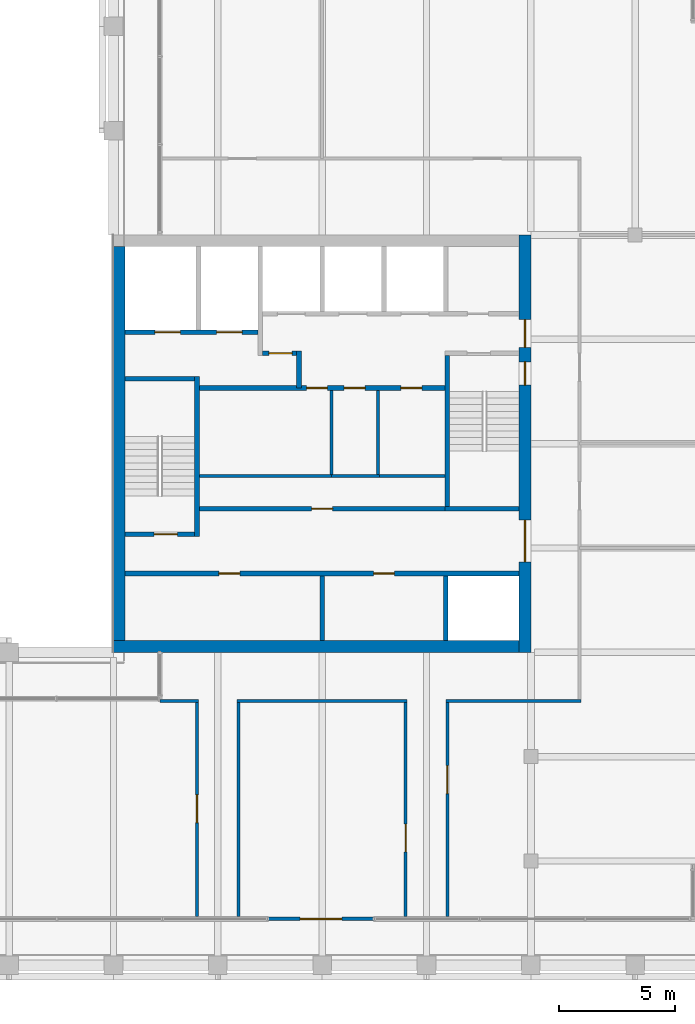
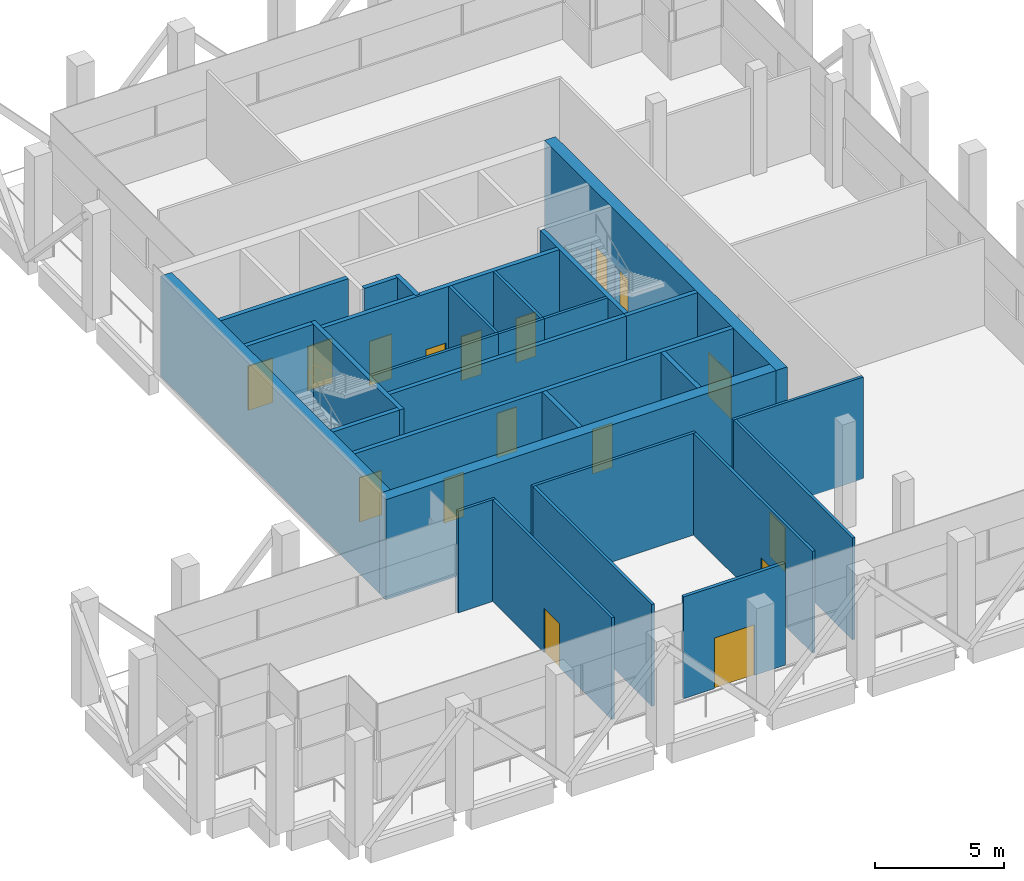
# One storey, part 19 of 21: 29 walls, 17 doors, 17 openings.
"""IFC4 building model written with IfcOpenShell, lengths in metres."""

from ifc_helpers import new_model, si_unit, direction, frame, frame_2d, origin, place, context, subcontext, project, spatial, rectangle, extrude, material, layer, layer_set, type_object, element, fill, save


model = new_model("IFC4")

# Units and contexts
model_context = context("Model", 3, precision=1e-05, world=origin(), true_north=direction((0.0, 1.0)))
body_context = subcontext(model_context, "Body", "Model", "MODEL_VIEW")
ifc_project = project(units=[si_unit("LENGTHUNIT", "METRE"), si_unit("AREAUNIT", "SQUARE_METRE"), si_unit("VOLUMEUNIT", "CUBIC_METRE"), si_unit("PLANEANGLEUNIT", "RADIAN"), si_unit("MASSUNIT", "GRAM", prefix="KILO")], contexts=[model_context])

# Site, building, storey
site_placement = place(None, origin())
site = spatial("IfcSite", under=ifc_project, at=site_placement, CompositionType="ELEMENT")
building_placement = place(site_placement, origin())
building = spatial("IfcBuilding", under=site, at=building_placement, Name="Altepetl Exchange Towers", CompositionType="ELEMENT")
storey_placement = place(building_placement, frame((0.0, 0.0, 246.0)))
storey = spatial("IfcBuildingStorey", under=building, at=storey_placement, Name="L63 Refuge", CompositionType="ELEMENT", Elevation=246.0)

# Wall, openings, doors
ifc_material_1 = material(Name="Concrete C70/85", Category="concrete")
ifc_layer_1 = layer(ifc_material_1, 0.5)
ifc_layer_set_1 = layer_set([ifc_layer_1], Name="Concrete C70/85")
wall_type_1 = type_object("IfcWallType", Name="Core wall 500 reinforced concrete", PredefinedType="SHEAR", material=ifc_layer_set_1)
wall_1_placement = place(storey_placement, frame((58.25, 40.5, 0.0), z_axis=(0.0, 0.0, 1.0), x_axis=(0.0, 1.0, 0.0)))
wall_1 = element("IfcWall", 1, at=wall_1_placement, inside=storey, type_object=wall_type_1, Name="wall:A:L63:K-coreE", PredefinedType="SHEAR", context=body_context, shape_type="SweptSolid", body=[
    extrude(rectangle(XDim=18.0, YDim=0.5, at=frame_2d((9.0, 0.0))), origin(), (0.0, 0.0, 1.0), 4.75),
])
opening_1_placement = place(wall_1_placement, frame((13.14990234375, 0.0, 0.0)))
opening_1 = element("IfcOpeningElement", 2, at=opening_1_placement, cuts=wall_1, Name="Opening L63.A60", PredefinedType="OPENING", context=body_context, shape_type="SweptSolid", body=[
    extrude(rectangle(XDim=1.199951171875, YDim=2.10009765625, at=frame_2d((0.60009765625, 1.050048828125))), frame((0.0, 0.260009765625, 0.0), z_axis=(0.0, -1.0, 0.0), x_axis=(1.0, 0.0, 0.0)), (0.0, 0.0, 1.0), 0.52001953125),
])
opening_2_placement = place(wall_1_placement, frame((3.89990234375, 0.0, 0.0)))
opening_2 = element("IfcOpeningElement", 3, at=opening_2_placement, cuts=wall_1, Name="Opening L63.A61", PredefinedType="OPENING", context=body_context, shape_type="SweptSolid", body=[
    extrude(rectangle(XDim=1.800048828125, YDim=2.10009765625, at=frame_2d((0.89990234375, 1.050048828125))), frame((0.0, 0.260009765625, 0.0), z_axis=(0.0, -1.0, 0.0), x_axis=(1.0, 0.0, 0.0)), (0.0, 0.0, 1.0), 0.52001953125),
])
opening_3_placement = place(wall_1_placement, frame((11.52490234375, 0.0, 0.0)))
opening_3 = element("IfcOpeningElement", 4, at=opening_3_placement, cuts=wall_1, Name="Opening L63.A64", PredefinedType="OPENING", context=body_context, shape_type="SweptSolid", body=[
    extrude(rectangle(XDim=1.0, YDim=2.10009765625, at=frame_2d((0.5, 1.050048828125))), frame((0.0, 0.260009765625, 0.0), z_axis=(0.0, -1.0, 0.0), x_axis=(1.0, 0.0, 0.0)), (0.0, 0.0, 1.0), 0.52001953125),
])
ifc_material_2 = material(Name="Steel and timber fire door", Category="steel")
door_type_1 = type_object("IfcDoorType", Name="Fire door 1000 x 2100 stair and lobby", OperationType="SINGLE_SWING_LEFT", PredefinedType="DOOR", material=ifc_material_2)
door_1_placement = place(opening_3_placement, origin())
door_1 = element("IfcDoor", 5, at=door_1_placement, inside=storey, type_object=door_type_1, Name="door:A:L63:K-dS2x", OperationType="SINGLE_SWING_RIGHT", OverallHeight=2.10009765625, OverallWidth=1.0, PredefinedType="DOOR", context=body_context, shape_type="SweptSolid", body=[
    extrude(rectangle(XDim=1.0, YDim=2.10009765625, at=frame_2d((0.5, 1.050048828125))), frame((0.0, 0.02490234375, 0.0), z_axis=(0.0, -1.0, 0.0), x_axis=(1.0, 0.0, 0.0)), (0.0, 0.0, 1.0), 0.050048828125),
])
fill(opening_3, door_1)
door_type_2 = type_object("IfcDoorType", Name="Fire door 1200 x 2100 lobby entry", OperationType="SINGLE_SWING_LEFT", PredefinedType="DOOR", material=ifc_material_2)
door_2_placement = place(opening_1_placement, origin())
door_2 = element("IfcDoor", 6, at=door_2_placement, inside=storey, type_object=door_type_2, Name="door:A:L63:K-dLNE", OperationType="SINGLE_SWING_RIGHT", OverallHeight=2.10009765625, OverallWidth=1.199951171875, PredefinedType="DOOR", context=body_context, shape_type="SweptSolid", body=[
    extrude(rectangle(XDim=1.199951171875, YDim=2.10009765625, at=frame_2d((0.60009765625, 1.050048828125))), frame((0.0, 0.02490234375, 0.0), z_axis=(0.0, -1.0, 0.0), x_axis=(1.0, 0.0, 0.0)), (0.0, 0.0, 1.0), 0.050048828125),
])
fill(opening_1, door_2)
door_type_3 = type_object("IfcDoorType", Name="Fire door 1800 x 2100 lobby entry", OperationType="DOUBLE_DOOR_SINGLE_SWING", PredefinedType="DOOR", material=ifc_material_2)
door_3_placement = place(opening_2_placement, origin())
door_3 = element("IfcDoor", 7, at=door_3_placement, inside=storey, type_object=door_type_3, Name="door:A:L63:K-dLSE", OperationType="DOUBLE_DOOR_SINGLE_SWING", OverallHeight=2.10009765625, OverallWidth=1.800048828125, PredefinedType="DOOR", context=body_context, shape_type="SweptSolid", body=[
    extrude(rectangle(XDim=1.800048828125, YDim=2.10009765625, at=frame_2d((0.89990234375, 1.050048828125))), frame((0.0, 0.02490234375, 0.0), z_axis=(0.0, -1.0, 0.0), x_axis=(1.0, 0.0, 0.0)), (0.0, 0.0, 1.0), 0.050048828125),
])
fill(opening_2, door_3)

# Walls
wall_2_placement = place(storey_placement, frame((40.5, 40.75, 0.0)))
element("IfcWall", 8, at=wall_2_placement, inside=storey, type_object=wall_type_1, Name="wall:A:L63:K-coreS", PredefinedType="SHEAR", context=body_context, shape_type="SweptSolid", body=[
    extrude(rectangle(XDim=17.5, YDim=0.5, at=frame_2d((8.75, 0.0))), origin(), (0.0, 0.0, 1.0), 4.75),
])
ifc_layer_2 = layer(ifc_material_1, 0.5)
ifc_layer_set_2 = layer_set([ifc_layer_2], Name="Concrete C70/85")
wall_type_2 = type_object("IfcWallType", Name="Core wall 500 reinforced concrete external", PredefinedType="SHEAR", material=ifc_layer_set_2)
wall_3_placement = place(storey_placement, frame((40.75, 41.0, 0.0), z_axis=(0.0, 0.0, 1.0), x_axis=(0.0, 1.0, 0.0)))
element("IfcWall", 9, at=wall_3_placement, inside=storey, type_object=wall_type_2, Name="wall:A:L63:K-coreW", PredefinedType="SHEAR", context=body_context, shape_type="SweptSolid", body=[
    extrude(rectangle(XDim=17.0, YDim=0.5, at=frame_2d((8.5, 0.0))), origin(), (0.0, 0.0, 1.0), 4.75),
])

# Wall, opening, door
ifc_material_3 = material(Name="Aluminium composite cladding", Category="aluminium")
ifc_layer_3 = layer(ifc_material_3, 0.14990234375)
ifc_layer_set_3 = layer_set([ifc_layer_3], Name="Aluminium composite cladding")
wall_type_3 = type_object("IfcWallType", Name="Infill wall 150 aluminium panel", PredefinedType="SOLIDWALL", material=ifc_layer_set_3)
wall_4_placement = place(storey_placement, frame((47.17138671875, 29.0, 0.0)))
wall_4 = element("IfcWall", 10, at=wall_4_placement, inside=storey, type_object=wall_type_3, Name="Loggia door bay wall", PredefinedType="SOLIDWALL", context=body_context, shape_type="SweptSolid", body=[
    extrude(rectangle(XDim=4.55712890625, YDim=0.14990234375, at=frame_2d((2.278564453125, 0.0))), origin(), (0.0, 0.0, 1.0), 4.824951171875),
])
opening_4_placement = place(wall_4_placement, frame((1.378662109375, 0.0, 0.0)))
opening_4 = element("IfcOpeningElement", 11, at=opening_4_placement, cuts=wall_4, Name="Opening L63.A90", PredefinedType="OPENING", context=body_context, shape_type="SweptSolid", body=[
    extrude(rectangle(XDim=1.800048828125, YDim=2.39990234375, at=frame_2d((0.89990234375, 1.199951171875))), frame((0.0, 0.0849609375, 0.0), z_axis=(0.0, -1.0, 0.0), x_axis=(1.0, 0.0, 0.0)), (0.0, 0.0, 1.0), 0.169921875),
])
ifc_material_4 = material(Name="Aluminium 6063-T6 and glass", Category="aluminium")
door_type_4 = type_object("IfcDoorType", Name="Glazed door pair 1800x2400", OperationType="DOUBLE_DOOR_DOUBLE_SWING", PredefinedType="NOTDEFINED", material=ifc_material_4)
door_4_placement = place(opening_4_placement, frame((1.800048828125, 0.0, 0.0), x_axis=(-1.0, 0.0, 0.0)))
door_4 = element("IfcDoor", 12, at=door_4_placement, inside=storey, type_object=door_type_4, Name="Loggia door", OperationType="DOUBLE_DOOR_DOUBLE_SWING", OverallHeight=2.39990234375, OverallWidth=1.800048828125, PredefinedType="NOTDEFINED", context=body_context, shape_type="SweptSolid", body=[
    extrude(rectangle(XDim=1.800048828125, YDim=2.39990234375, at=frame_2d((0.89990234375, 1.199951171875))), frame((0.0, 0.02490234375, 0.0), z_axis=(0.0, -1.0, 0.0), x_axis=(1.0, 0.0, 0.0)), (0.0, 0.0, 1.0), 0.050048828125),
])
fill(opening_4, door_4)

# Wall
ifc_material_5 = material(Name="Concrete blockwork", Category="masonry")
ifc_layer_4 = layer(ifc_material_5, 0.199951171875)
ifc_layer_set_4 = layer_set([ifc_layer_4], Name="Concrete blockwork")
wall_type_4 = type_object("IfcWallType", Name="Lobby wall 200 blockwork", PredefinedType="PARTITIONING", material=ifc_layer_set_4)
wall_5_placement = place(storey_placement, frame((48.5, 51.89990234375, 0.0), z_axis=(0.0, 0.0, 1.0), x_axis=(0.0, 1.0, 0.0)))
element("IfcWall", 13, at=wall_5_placement, inside=storey, type_object=wall_type_4, Name="wall:A:L63:K-ffE", PredefinedType="PARTITIONING", context=body_context, shape_type="SweptSolid", body=[
    extrude(rectangle(XDim=1.60009765625, YDim=0.199951171875, at=frame_2d((0.800048828125, 0.0))), origin(), (0.0, 0.0, 1.0), 4.75),
])

# Wall, opening, door
wall_6_placement = place(storey_placement, frame((46.933349609375, 53.39990234375, 0.0)))
wall_6 = element("IfcWall", 14, at=wall_6_placement, inside=storey, type_object=wall_type_4, Name="wall:A:L63:K-ffN", PredefinedType="PARTITIONING", context=body_context, shape_type="SweptSolid", body=[
    extrude(rectangle(XDim=1.466552734375, YDim=0.199951171875, at=frame_2d((0.7333984375, 0.0))), origin(), (0.0, 0.0, 1.0), 4.75),
])
opening_5_placement = place(wall_6_placement, frame((0.2666015625, 0.0, 0.0)))
opening_5 = element("IfcOpeningElement", 15, at=opening_5_placement, cuts=wall_6, Name="Opening L63.A65", PredefinedType="OPENING", context=body_context, shape_type="SweptSolid", body=[
    extrude(rectangle(XDim=1.0, YDim=2.10009765625, at=frame_2d((0.5, 1.050048828125))), frame((0.0, 0.10986328125, 0.0), z_axis=(0.0, -1.0, 0.0), x_axis=(1.0, 0.0, 0.0)), (0.0, 0.0, 1.0), 0.219970703125),
])
door_5_placement = place(opening_5_placement, frame((1.0, 0.0, 0.0), x_axis=(-1.0, 0.0, 0.0)))
door_5 = element("IfcDoor", 16, at=door_5_placement, inside=storey, type_object=door_type_1, Name="door:A:L63:K-dffN", OperationType="SINGLE_SWING_RIGHT", OverallHeight=2.10009765625, OverallWidth=1.0, PredefinedType="DOOR", context=body_context, shape_type="SweptSolid", body=[
    extrude(rectangle(XDim=1.0, YDim=2.10009765625, at=frame_2d((0.5, 1.050048828125))), frame((0.0, 0.02490234375, 0.0), z_axis=(0.0, -1.0, 0.0), x_axis=(1.0, 0.0, 0.0)), (0.0, 0.0, 1.0), 0.050048828125),
])
fill(opening_5, door_5)

# Wall, openings, doors
wall_7_placement = place(storey_placement, frame((44.199951171875, 51.89990234375, 0.0)))
wall_7 = element("IfcWall", 17, at=wall_7_placement, inside=storey, type_object=wall_type_4, Name="wall:A:L63:K-zoneN", PredefinedType="PARTITIONING", context=body_context, shape_type="SweptSolid", body=[
    extrude(rectangle(XDim=10.60009765625, YDim=0.199951171875, at=frame_2d((5.300048828125, 0.0))), origin(), (0.0, 0.0, 1.0), 4.75),
])
opening_6_placement = place(wall_7_placement, frame((4.625, 0.0, 0.0)))
opening_6 = element("IfcOpeningElement", 18, at=opening_6_placement, cuts=wall_7, Name="Opening L63.A70", PredefinedType="OPENING", context=body_context, shape_type="SweptSolid", body=[
    extrude(rectangle(XDim=0.89990234375, YDim=2.10009765625, at=frame_2d((0.449951171875, 1.050048828125))), frame((0.0, 0.10986328125, 0.0), z_axis=(0.0, -1.0, 0.0), x_axis=(1.0, 0.0, 0.0)), (0.0, 0.0, 1.0), 0.219970703125),
])
opening_7_placement = place(wall_7_placement, frame((6.25, 0.0, 0.0)))
opening_7 = element("IfcOpeningElement", 19, at=opening_7_placement, cuts=wall_7, Name="Opening L63.A71", PredefinedType="OPENING", context=body_context, shape_type="SweptSolid", body=[
    extrude(rectangle(XDim=0.89990234375, YDim=2.10009765625, at=frame_2d((0.449951171875, 1.050048828125))), frame((0.0, 0.10986328125, 0.0), z_axis=(0.0, -1.0, 0.0), x_axis=(1.0, 0.0, 0.0)), (0.0, 0.0, 1.0), 0.219970703125),
])
opening_8_placement = place(wall_7_placement, frame((8.699951171875, 0.0, 0.0)))
opening_8 = element("IfcOpeningElement", 20, at=opening_8_placement, cuts=wall_7, Name="Opening L63.A72", PredefinedType="OPENING", context=body_context, shape_type="SweptSolid", body=[
    extrude(rectangle(XDim=0.89990234375, YDim=2.10009765625, at=frame_2d((0.449951171875, 1.050048828125))), frame((0.0, 0.10986328125, 0.0), z_axis=(0.0, -1.0, 0.0), x_axis=(1.0, 0.0, 0.0)), (0.0, 0.0, 1.0), 0.219970703125),
])
door_type_5 = type_object("IfcDoorType", Name="Fire door 900 x 2100 service room", OperationType="SINGLE_SWING_LEFT", PredefinedType="DOOR", material=ifc_material_2)
door_6_placement = place(opening_6_placement, frame((0.89990234375, 0.0, 0.0), x_axis=(-1.0, 0.0, 0.0)))
door_6 = element("IfcDoor", 21, at=door_6_placement, inside=storey, type_object=door_type_5, Name="door:A:L63:K-dz2", OperationType="SINGLE_SWING_RIGHT", OverallHeight=2.10009765625, OverallWidth=0.89990234375, PredefinedType="DOOR", context=body_context, shape_type="SweptSolid", body=[
    extrude(rectangle(XDim=0.89990234375, YDim=2.10009765625, at=frame_2d((0.449951171875, 1.050048828125))), frame((0.0, 0.02490234375, 0.0), z_axis=(0.0, -1.0, 0.0), x_axis=(1.0, 0.0, 0.0)), (0.0, 0.0, 1.0), 0.050048828125),
])
fill(opening_6, door_6)
door_7_placement = place(opening_7_placement, frame((0.89990234375, 0.0, 0.0), x_axis=(-1.0, 0.0, 0.0)))
door_7 = element("IfcDoor", 22, at=door_7_placement, inside=storey, type_object=door_type_5, Name="door:A:L63:K-dz3", OperationType="SINGLE_SWING_LEFT", OverallHeight=2.10009765625, OverallWidth=0.89990234375, PredefinedType="DOOR", context=body_context, shape_type="SweptSolid", body=[
    extrude(rectangle(XDim=0.89990234375, YDim=2.10009765625, at=frame_2d((0.449951171875, 1.050048828125))), frame((0.0, 0.02490234375, 0.0), z_axis=(0.0, -1.0, 0.0), x_axis=(1.0, 0.0, 0.0)), (0.0, 0.0, 1.0), 0.050048828125),
])
fill(opening_7, door_7)
door_8_placement = place(opening_8_placement, frame((0.89990234375, 0.0, 0.0), x_axis=(-1.0, 0.0, 0.0)))
door_8 = element("IfcDoor", 23, at=door_8_placement, inside=storey, type_object=door_type_5, Name="door:A:L63:K-dz4", OperationType="SINGLE_SWING_LEFT", OverallHeight=2.10009765625, OverallWidth=0.89990234375, PredefinedType="DOOR", context=body_context, shape_type="SweptSolid", body=[
    extrude(rectangle(XDim=0.89990234375, YDim=2.10009765625, at=frame_2d((0.449951171875, 1.050048828125))), frame((0.0, 0.02490234375, 0.0), z_axis=(0.0, -1.0, 0.0), x_axis=(1.0, 0.0, 0.0)), (0.0, 0.0, 1.0), 0.050048828125),
])
fill(opening_8, door_8)

# Wall, opening, door
wall_8_placement = place(storey_placement, frame((44.199951171875, 46.699951171875, 0.0)))
wall_8 = element("IfcWall", 24, at=wall_8_placement, inside=storey, type_object=wall_type_4, Name="wall:A:L63:K-zoneS", PredefinedType="PARTITIONING", context=body_context, shape_type="SweptSolid", body=[
    extrude(rectangle(XDim=10.60009765625, YDim=0.199951171875, at=frame_2d((5.300048828125, 0.0))), origin(), (0.0, 0.0, 1.0), 4.75),
])
opening_9_placement = place(wall_8_placement, frame((4.85009765625, 0.0, 0.0)))
opening_9 = element("IfcOpeningElement", 25, at=opening_9_placement, cuts=wall_8, Name="Opening L63.A69", PredefinedType="OPENING", context=body_context, shape_type="SweptSolid", body=[
    extrude(rectangle(XDim=0.89990234375, YDim=2.10009765625, at=frame_2d((0.449951171875, 1.050048828125))), frame((0.0, 0.10986328125, 0.0), z_axis=(0.0, -1.0, 0.0), x_axis=(1.0, 0.0, 0.0)), (0.0, 0.0, 1.0), 0.219970703125),
])
door_9_placement = place(opening_9_placement, origin())
door_9 = element("IfcDoor", 26, at=door_9_placement, inside=storey, type_object=door_type_5, Name="door:A:L63:K-dz1", OperationType="SINGLE_SWING_LEFT", OverallHeight=2.10009765625, OverallWidth=0.89990234375, PredefinedType="DOOR", context=body_context, shape_type="SweptSolid", body=[
    extrude(rectangle(XDim=0.89990234375, YDim=2.10009765625, at=frame_2d((0.449951171875, 1.050048828125))), frame((0.0, 0.02490234375, 0.0), z_axis=(0.0, -1.0, 0.0), x_axis=(1.0, 0.0, 0.0)), (0.0, 0.0, 1.0), 0.050048828125),
])
fill(opening_9, door_9)

# Walls
ifc_material_6 = material(Name="Gypsum board on steel studs", Category="steel")
ifc_layer_5 = layer(ifc_material_6, 0.125)
ifc_layer_set_5 = layer_set([ifc_layer_5], Name="Gypsum board on steel studs")
wall_type_5 = type_object("IfcWallType", Name="Partition 125 gypsum board on steel studs", PredefinedType="PARTITIONING", material=ifc_layer_set_5)
wall_9_placement = place(storey_placement, frame((49.96240234375, 48.10009765625, 0.0), z_axis=(0.0, 0.0, 1.0), x_axis=(-1.0, 0.0, 0.0)))
element("IfcWall", 27, at=wall_9_placement, inside=storey, type_object=wall_type_5, Name="wall:A:L63:K-zp1", PredefinedType="PARTITIONING", context=body_context, shape_type="SweptSolid", body=[
    extrude(rectangle(XDim=5.762451171875, YDim=0.125, at=frame_2d((2.88134765625, 0.0))), origin(), (0.0, 0.0, 1.0), 4.75),
])
wall_10_placement = place(storey_placement, frame((51.96240234375, 48.10009765625, 0.0), z_axis=(0.0, 0.0, 1.0), x_axis=(-1.0, 0.0, 0.0)))
element("IfcWall", 28, at=wall_10_placement, inside=storey, type_object=wall_type_5, Name="wall:A:L63:K-zp2", PredefinedType="PARTITIONING", context=body_context, shape_type="SweptSolid", body=[
    extrude(rectangle(XDim=2.0625, YDim=0.125, at=frame_2d((1.03125, 0.0))), origin(), (0.0, 0.0, 1.0), 4.75),
])
wall_11_placement = place(storey_placement, frame((49.89990234375, 48.16259765625, 0.0), z_axis=(0.0, 0.0, 1.0), x_axis=(0.0, 1.0, 0.0)))
element("IfcWall", 29, at=wall_11_placement, inside=storey, type_object=wall_type_5, Name="wall:A:L63:K-zp3", PredefinedType="PARTITIONING", context=body_context, shape_type="SweptSolid", body=[
    extrude(rectangle(XDim=3.637451171875, YDim=0.125, at=frame_2d((1.81884765625, 0.0))), origin(), (0.0, 0.0, 1.0), 4.75),
])
wall_12_placement = place(storey_placement, frame((54.800048828125, 48.10009765625, 0.0), z_axis=(0.0, 0.0, 1.0), x_axis=(-1.0, 0.0, 0.0)))
element("IfcWall", 30, at=wall_12_placement, inside=storey, type_object=wall_type_5, Name="wall:A:L63:K-zp4", PredefinedType="PARTITIONING", context=body_context, shape_type="SweptSolid", body=[
    extrude(rectangle(XDim=2.900146484375, YDim=0.125, at=frame_2d((1.4501953125, 0.0))), origin(), (0.0, 0.0, 1.0), 4.75),
])
wall_13_placement = place(storey_placement, frame((51.89990234375, 48.16259765625, 0.0), z_axis=(0.0, 0.0, 1.0), x_axis=(0.0, 1.0, 0.0)))
element("IfcWall", 31, at=wall_13_placement, inside=storey, type_object=wall_type_5, Name="wall:A:L63:K-zp5", PredefinedType="PARTITIONING", context=body_context, shape_type="SweptSolid", body=[
    extrude(rectangle(XDim=3.637451171875, YDim=0.125, at=frame_2d((1.81884765625, 0.0))), origin(), (0.0, 0.0, 1.0), 4.75),
])
wall_14_placement = place(storey_placement, frame((42.5, 38.39990234375, 0.0)))
element("IfcWall", 32, at=wall_14_placement, inside=storey, type_object=wall_type_5, Name="wall:A:L63:P01", PredefinedType="PARTITIONING", context=body_context, shape_type="SweptSolid", body=[
    extrude(rectangle(XDim=1.66259765625, YDim=0.125, at=frame_2d((0.831298828125, 0.0))), origin(), (0.0, 0.0, 1.0), 4.824951171875),
])
wall_15_placement = place(storey_placement, frame((45.83740234375, 38.39990234375, 0.0)))
element("IfcWall", 33, at=wall_15_placement, inside=storey, type_object=wall_type_5, Name="wall:A:L63:P02", PredefinedType="PARTITIONING", context=body_context, shape_type="SweptSolid", body=[
    extrude(rectangle(XDim=7.3251953125, YDim=0.125, at=frame_2d((3.66259765625, 0.0))), origin(), (0.0, 0.0, 1.0), 4.824951171875),
])
wall_16_placement = place(storey_placement, frame((54.83740234375, 38.39990234375, 0.0)))
element("IfcWall", 34, at=wall_16_placement, inside=storey, type_object=wall_type_5, Name="wall:A:L63:P03", PredefinedType="PARTITIONING", context=body_context, shape_type="SweptSolid", body=[
    extrude(rectangle(XDim=5.8251953125, YDim=0.125, at=frame_2d((2.91259765625, 0.0))), origin(), (0.0, 0.0, 1.0), 4.824951171875),
])

# Wall, opening, door
wall_17_placement = place(storey_placement, frame((44.10009765625, 29.10009765625, 0.0), z_axis=(0.0, 0.0, 1.0), x_axis=(0.0, 1.0, 0.0)))
wall_17 = element("IfcWall", 35, at=wall_17_placement, inside=storey, type_object=wall_type_5, Name="wall:A:L63:P10", PredefinedType="PARTITIONING", context=body_context, shape_type="SweptSolid", body=[
    extrude(rectangle(XDim=9.2373046875, YDim=0.125, at=frame_2d((4.61865234375, 0.0))), origin(), (0.0, 0.0, 1.0), 4.824951171875),
])
opening_10_placement = place(wall_17_placement, frame((4.050048828125, 0.0, 0.0)))
opening_10 = element("IfcOpeningElement", 36, at=opening_10_placement, cuts=wall_17, Name="Opening L63.A01", PredefinedType="OPENING", context=body_context, shape_type="SweptSolid", body=[
    extrude(rectangle(XDim=1.199951171875, YDim=2.10009765625, at=frame_2d((0.60009765625, 1.050048828125))), frame((0.0, 0.072509765625, 0.0), z_axis=(0.0, -1.0, 0.0), x_axis=(1.0, 0.0, 0.0)), (0.0, 0.0, 1.0), 0.14501953125),
])
door_type_6 = type_object("IfcDoorType", Name="Fire door 1200 x 2100 plant and refuge", OperationType="SINGLE_SWING_LEFT", PredefinedType="DOOR", material=ifc_material_2)
door_10_placement = place(opening_10_placement, origin())
door_10 = element("IfcDoor", 37, at=door_10_placement, inside=storey, type_object=door_type_6, Name="door:A:L63:01", OperationType="SINGLE_SWING_RIGHT", OverallHeight=2.10009765625, OverallWidth=1.199951171875, PredefinedType="DOOR", context=body_context, shape_type="SweptSolid", body=[
    extrude(rectangle(XDim=1.199951171875, YDim=2.10009765625, at=frame_2d((0.60009765625, 1.050048828125))), frame((0.0, 0.02490234375, 0.0), z_axis=(0.0, -1.0, 0.0), x_axis=(1.0, 0.0, 0.0)), (0.0, 0.0, 1.0), 0.050048828125),
])
fill(opening_10, door_10)

# Wall
wall_18_placement = place(storey_placement, frame((45.89990234375, 29.10009765625, 0.0), z_axis=(0.0, 0.0, 1.0), x_axis=(0.0, 1.0, 0.0)))
element("IfcWall", 38, at=wall_18_placement, inside=storey, type_object=wall_type_5, Name="wall:A:L63:P11", PredefinedType="PARTITIONING", context=body_context, shape_type="SweptSolid", body=[
    extrude(rectangle(XDim=9.2373046875, YDim=0.125, at=frame_2d((4.61865234375, 0.0))), origin(), (0.0, 0.0, 1.0), 4.824951171875),
])

# Wall, opening, door
wall_19_placement = place(storey_placement, frame((53.10009765625, 29.10009765625, 0.0), z_axis=(0.0, 0.0, 1.0), x_axis=(0.0, 1.0, 0.0)))
wall_19 = element("IfcWall", 39, at=wall_19_placement, inside=storey, type_object=wall_type_5, Name="wall:A:L63:P13", PredefinedType="PARTITIONING", context=body_context, shape_type="SweptSolid", body=[
    extrude(rectangle(XDim=9.2373046875, YDim=0.125, at=frame_2d((4.61865234375, 0.0))), origin(), (0.0, 0.0, 1.0), 4.824951171875),
])
opening_11_placement = place(wall_19_placement, frame((2.7900390625, 0.0, 0.0)))
opening_11 = element("IfcOpeningElement", 40, at=opening_11_placement, cuts=wall_19, Name="Opening L63.A02", PredefinedType="OPENING", context=body_context, shape_type="SweptSolid", body=[
    extrude(rectangle(XDim=1.199951171875, YDim=2.10009765625, at=frame_2d((0.60009765625, 1.050048828125))), frame((0.0, 0.072509765625, 0.0), z_axis=(0.0, -1.0, 0.0), x_axis=(1.0, 0.0, 0.0)), (0.0, 0.0, 1.0), 0.14501953125),
])
door_11_placement = place(opening_11_placement, origin())
door_11 = element("IfcDoor", 41, at=door_11_placement, inside=storey, type_object=door_type_6, Name="door:A:L63:02", OperationType="SINGLE_SWING_RIGHT", OverallHeight=2.10009765625, OverallWidth=1.199951171875, PredefinedType="DOOR", context=body_context, shape_type="SweptSolid", body=[
    extrude(rectangle(XDim=1.199951171875, YDim=2.10009765625, at=frame_2d((0.60009765625, 1.050048828125))), frame((0.0, 0.02490234375, 0.0), z_axis=(0.0, -1.0, 0.0), x_axis=(1.0, 0.0, 0.0)), (0.0, 0.0, 1.0), 0.050048828125),
])
fill(opening_11, door_11)

wall_20_placement = place(storey_placement, frame((54.89990234375, 29.10009765625, 0.0), z_axis=(0.0, 0.0, 1.0), x_axis=(0.0, 1.0, 0.0)))
wall_20 = element("IfcWall", 42, at=wall_20_placement, inside=storey, type_object=wall_type_5, Name="wall:A:L63:P14", PredefinedType="PARTITIONING", context=body_context, shape_type="SweptSolid", body=[
    extrude(rectangle(XDim=9.2373046875, YDim=0.125, at=frame_2d((4.61865234375, 0.0))), origin(), (0.0, 0.0, 1.0), 4.824951171875),
])
opening_12_placement = place(wall_20_placement, frame((5.31005859375, 0.0, 0.0)))
opening_12 = element("IfcOpeningElement", 43, at=opening_12_placement, cuts=wall_20, Name="Opening L63.A03", PredefinedType="OPENING", context=body_context, shape_type="SweptSolid", body=[
    extrude(rectangle(XDim=1.199951171875, YDim=2.10009765625, at=frame_2d((0.60009765625, 1.050048828125))), frame((0.0, 0.072509765625, 0.0), z_axis=(0.0, -1.0, 0.0), x_axis=(1.0, 0.0, 0.0)), (0.0, 0.0, 1.0), 0.14501953125),
])
door_12_placement = place(opening_12_placement, frame((1.199951171875, 0.0, 0.0), x_axis=(-1.0, 0.0, 0.0)))
door_12 = element("IfcDoor", 44, at=door_12_placement, inside=storey, type_object=door_type_6, Name="door:A:L63:03", OperationType="SINGLE_SWING_RIGHT", OverallHeight=2.10009765625, OverallWidth=1.199951171875, PredefinedType="DOOR", context=body_context, shape_type="SweptSolid", body=[
    extrude(rectangle(XDim=1.199951171875, YDim=2.10009765625, at=frame_2d((0.60009765625, 1.050048828125))), frame((0.0, 0.02490234375, 0.0), z_axis=(0.0, -1.0, 0.0), x_axis=(1.0, 0.0, 0.0)), (0.0, 0.0, 1.0), 0.050048828125),
])
fill(opening_12, door_12)

# Wall
ifc_material_7 = material(Name="Concrete C40/50", Category="concrete")
ifc_layer_6 = layer(ifc_material_7, 0.199951171875)
ifc_layer_set_6 = layer_set([ifc_layer_6], Name="Concrete C40/50")
wall_type_6 = type_object("IfcWallType", Name="Shaft wall 200 reinforced concrete", PredefinedType="SHEAR", material=ifc_layer_set_6)
wall_21_placement = place(storey_placement, frame((54.833251953125, 41.0, 0.0), z_axis=(0.0, 0.0, 1.0), x_axis=(0.0, 1.0, 0.0)))
element("IfcWall", 45, at=wall_21_placement, inside=storey, type_object=wall_type_6, Name="wall:A:L63:K-divS5", PredefinedType="SHEAR", context=body_context, shape_type="SweptSolid", body=[
    extrude(rectangle(XDim=2.800048828125, YDim=0.199951171875, at=frame_2d((1.39990234375, 0.0))), origin(), (0.0, 0.0, 1.0), 4.75),
])

# Wall, openings, doors
wall_22_placement = place(storey_placement, frame((41.0, 54.300048828125, 0.0)))
wall_22 = element("IfcWall", 46, at=wall_22_placement, inside=storey, type_object=wall_type_6, Name="wall:A:L63:K-frontNd", PredefinedType="SHEAR", context=body_context, shape_type="SweptSolid", body=[
    extrude(rectangle(XDim=5.7333984375, YDim=0.199951171875, at=frame_2d((2.86669921875, 0.0))), origin(), (0.0, 0.0, 1.0), 4.75),
])
opening_13_placement = place(wall_22_placement, frame((1.283203125, 0.0, 0.0)))
opening_13 = element("IfcOpeningElement", 47, at=opening_13_placement, cuts=wall_22, Name="Opening L63.A73", PredefinedType="OPENING", context=body_context, shape_type="SweptSolid", body=[
    extrude(rectangle(XDim=1.10009765625, YDim=2.10009765625, at=frame_2d((0.550048828125, 1.050048828125))), frame((0.0, 0.10986328125, 0.0), z_axis=(0.0, -1.0, 0.0), x_axis=(1.0, 0.0, 0.0)), (0.0, 0.0, 1.0), 0.219970703125),
])
opening_14_placement = place(wall_22_placement, frame((3.949951171875, 0.0, 0.0)))
opening_14 = element("IfcOpeningElement", 48, at=opening_14_placement, cuts=wall_22, Name="Opening L63.A74", PredefinedType="OPENING", context=body_context, shape_type="SweptSolid", body=[
    extrude(rectangle(XDim=1.10009765625, YDim=2.10009765625, at=frame_2d((0.550048828125, 1.050048828125))), frame((0.0, 0.10986328125, 0.0), z_axis=(0.0, -1.0, 0.0), x_axis=(1.0, 0.0, 0.0)), (0.0, 0.0, 1.0), 0.219970703125),
])
ifc_material_8 = material(Name="Stainless steel", Category="steel")
door_type_7 = type_object("IfcDoorType", Name="Lift landing door 1100 x 2100", OperationType="SLIDING_TO_LEFT", PredefinedType="DOOR", material=ifc_material_8)
door_13_placement = place(opening_13_placement, origin())
door_13 = element("IfcDoor", 49, at=door_13_placement, inside=storey, type_object=door_type_7, Name="Landing door FFL1", OperationType="SLIDING_TO_LEFT", OverallHeight=2.10009765625, OverallWidth=1.10009765625, PredefinedType="DOOR", context=body_context, shape_type="SweptSolid", body=[
    extrude(rectangle(XDim=1.10009765625, YDim=2.10009765625, at=frame_2d((0.550048828125, 1.050048828125))), frame((0.0, 0.02490234375, 0.0), z_axis=(0.0, -1.0, 0.0), x_axis=(1.0, 0.0, 0.0)), (0.0, 0.0, 1.0), 0.050048828125),
])
fill(opening_13, door_13)
door_14_placement = place(opening_14_placement, origin())
door_14 = element("IfcDoor", 50, at=door_14_placement, inside=storey, type_object=door_type_7, Name="Landing door FFL2", OperationType="SLIDING_TO_LEFT", OverallHeight=2.10009765625, OverallWidth=1.10009765625, PredefinedType="DOOR", context=body_context, shape_type="SweptSolid", body=[
    extrude(rectangle(XDim=1.10009765625, YDim=2.10009765625, at=frame_2d((0.550048828125, 1.050048828125))), frame((0.0, 0.02490234375, 0.0), z_axis=(0.0, -1.0, 0.0), x_axis=(1.0, 0.0, 0.0)), (0.0, 0.0, 1.0), 0.050048828125),
])
fill(opening_14, door_14)

wall_23_placement = place(storey_placement, frame((41.0, 43.89990234375, 0.0)))
wall_23 = element("IfcWall", 51, at=wall_23_placement, inside=storey, type_object=wall_type_6, Name="wall:A:L63:K-frontS", PredefinedType="SHEAR", context=body_context, shape_type="SweptSolid", body=[
    extrude(rectangle(XDim=17.0, YDim=0.199951171875, at=frame_2d((8.5, 0.0))), origin(), (0.0, 0.0, 1.0), 4.75),
])
opening_15_placement = place(wall_23_placement, frame((4.050048828125, 0.0, 0.0)))
opening_15 = element("IfcOpeningElement", 52, at=opening_15_placement, cuts=wall_23, Name="Opening L63.A67", PredefinedType="OPENING", context=body_context, shape_type="SweptSolid", body=[
    extrude(rectangle(XDim=0.89990234375, YDim=2.10009765625, at=frame_2d((0.449951171875, 1.050048828125))), frame((0.0, 0.10986328125, 0.0), z_axis=(0.0, -1.0, 0.0), x_axis=(1.0, 0.0, 0.0)), (0.0, 0.0, 1.0), 0.219970703125),
])
opening_16_placement = place(wall_23_placement, frame((10.716796875, 0.0, 0.0)))
opening_16 = element("IfcOpeningElement", 53, at=opening_16_placement, cuts=wall_23, Name="Opening L63.A68", PredefinedType="OPENING", context=body_context, shape_type="SweptSolid", body=[
    extrude(rectangle(XDim=0.89990234375, YDim=2.10009765625, at=frame_2d((0.449951171875, 1.050048828125))), frame((0.0, 0.10986328125, 0.0), z_axis=(0.0, -1.0, 0.0), x_axis=(1.0, 0.0, 0.0)), (0.0, 0.0, 1.0), 0.219970703125),
])
door_15_placement = place(opening_15_placement, frame((0.89990234375, 0.0, 0.0), x_axis=(-1.0, 0.0, 0.0)))
door_15 = element("IfcDoor", 54, at=door_15_placement, inside=storey, type_object=door_type_5, Name="door:A:L63:K-dslotS0", OperationType="SINGLE_SWING_LEFT", OverallHeight=2.10009765625, OverallWidth=0.89990234375, PredefinedType="DOOR", context=body_context, shape_type="SweptSolid", body=[
    extrude(rectangle(XDim=0.89990234375, YDim=2.10009765625, at=frame_2d((0.449951171875, 1.050048828125))), frame((0.0, 0.02490234375, 0.0), z_axis=(0.0, -1.0, 0.0), x_axis=(1.0, 0.0, 0.0)), (0.0, 0.0, 1.0), 0.050048828125),
])
fill(opening_15, door_15)
door_16_placement = place(opening_16_placement, frame((0.89990234375, 0.0, 0.0), x_axis=(-1.0, 0.0, 0.0)))
door_16 = element("IfcDoor", 55, at=door_16_placement, inside=storey, type_object=door_type_5, Name="door:A:L63:K-dslotS3", OperationType="SINGLE_SWING_LEFT", OverallHeight=2.10009765625, OverallWidth=0.89990234375, PredefinedType="DOOR", context=body_context, shape_type="SweptSolid", body=[
    extrude(rectangle(XDim=0.89990234375, YDim=2.10009765625, at=frame_2d((0.449951171875, 1.050048828125))), frame((0.0, 0.02490234375, 0.0), z_axis=(0.0, -1.0, 0.0), x_axis=(1.0, 0.0, 0.0)), (0.0, 0.0, 1.0), 0.050048828125),
])
fill(opening_16, door_16)

# Walls
ifc_layer_7 = layer(ifc_material_1, 0.199951171875)
ifc_layer_set_7 = layer_set([ifc_layer_7], Name="Concrete C70/85")
wall_type_7 = type_object("IfcWallType", Name="Shear wall 200 reinforced concrete", PredefinedType="SHEAR", material=ifc_layer_set_7)
wall_24_placement = place(storey_placement, frame((49.5, 41.0, 0.0), z_axis=(0.0, 0.0, 1.0), x_axis=(0.0, 1.0, 0.0)))
element("IfcWall", 56, at=wall_24_placement, inside=storey, type_object=wall_type_7, Name="wall:A:L63:K-divS3", PredefinedType="SHEAR", context=body_context, shape_type="SweptSolid", body=[
    extrude(rectangle(XDim=2.800048828125, YDim=0.199951171875, at=frame_2d((1.39990234375, 0.0))), origin(), (0.0, 0.0, 1.0), 4.75),
])
ifc_layer_8 = layer(ifc_material_7, 0.199951171875)
ifc_layer_set_8 = layer_set([ifc_layer_8], Name="Concrete C40/50")
wall_type_8 = type_object("IfcWallType", Name="Stair wall 200 reinforced concrete", PredefinedType="SHEAR", material=ifc_layer_set_8)
wall_25_placement = place(storey_placement, frame((44.10009765625, 45.5, 0.0), z_axis=(0.0, 0.0, 1.0), x_axis=(0.0, 1.0, 0.0)))
element("IfcWall", 57, at=wall_25_placement, inside=storey, type_object=wall_type_8, Name="wall:A:L63:K-stS1E", PredefinedType="SHEAR", context=body_context, shape_type="SweptSolid", body=[
    extrude(rectangle(XDim=6.89990234375, YDim=0.199951171875, at=frame_2d((3.449951171875, 0.0))), origin(), (0.0, 0.0, 1.0), 4.75),
])
wall_26_placement = place(storey_placement, frame((41.0, 52.300048828125, 0.0)))
element("IfcWall", 58, at=wall_26_placement, inside=storey, type_object=wall_type_8, Name="wall:A:L63:K-stS1N", PredefinedType="SHEAR", context=body_context, shape_type="SweptSolid", body=[
    extrude(rectangle(XDim=3.0, YDim=0.199951171875, at=frame_2d((1.5, 0.0))), origin(), (0.0, 0.0, 1.0), 4.75),
])

# Wall, opening, door
wall_27_placement = place(storey_placement, frame((41.0, 45.60009765625, 0.0)))
wall_27 = element("IfcWall", 59, at=wall_27_placement, inside=storey, type_object=wall_type_8, Name="wall:A:L63:K-stS1S", PredefinedType="SHEAR", context=body_context, shape_type="SweptSolid", body=[
    extrude(rectangle(XDim=3.0, YDim=0.199951171875, at=frame_2d((1.5, 0.0))), origin(), (0.0, 0.0, 1.0), 4.75),
])
opening_17_placement = place(wall_27_placement, frame((1.25, 0.0, 0.0)))
opening_17 = element("IfcOpeningElement", 60, at=opening_17_placement, cuts=wall_27, Name="Opening L63.A62", PredefinedType="OPENING", context=body_context, shape_type="SweptSolid", body=[
    extrude(rectangle(XDim=1.0, YDim=2.10009765625, at=frame_2d((0.5, 1.050048828125))), frame((0.0, 0.10986328125, 0.0), z_axis=(0.0, -1.0, 0.0), x_axis=(1.0, 0.0, 0.0)), (0.0, 0.0, 1.0), 0.219970703125),
])
door_17_placement = place(opening_17_placement, origin())
door_17 = element("IfcDoor", 61, at=door_17_placement, inside=storey, type_object=door_type_1, Name="door:A:L63:K-dS1in", OperationType="SINGLE_SWING_RIGHT", OverallHeight=2.10009765625, OverallWidth=1.0, PredefinedType="DOOR", context=body_context, shape_type="SweptSolid", body=[
    extrude(rectangle(XDim=1.0, YDim=2.10009765625, at=frame_2d((0.5, 1.050048828125))), frame((0.0, 0.02490234375, 0.0), z_axis=(0.0, -1.0, 0.0), x_axis=(1.0, 0.0, 0.0)), (0.0, 0.0, 1.0), 0.050048828125),
])
fill(opening_17, door_17)

# Walls
wall_28_placement = place(storey_placement, frame((54.800048828125, 46.699951171875, 0.0)))
element("IfcWall", 62, at=wall_28_placement, inside=storey, type_object=wall_type_8, Name="wall:A:L63:K-stS2S", PredefinedType="SHEAR", context=body_context, shape_type="SweptSolid", body=[
    extrude(rectangle(XDim=3.199951171875, YDim=0.199951171875, at=frame_2d((1.60009765625, 0.0))), origin(), (0.0, 0.0, 1.0), 4.75),
])
wall_29_placement = place(storey_placement, frame((54.89990234375, 46.800048828125, 0.0), z_axis=(0.0, 0.0, 1.0), x_axis=(0.0, 1.0, 0.0)))
element("IfcWall", 63, at=wall_29_placement, inside=storey, type_object=wall_type_8, Name="wall:A:L63:K-stS2W", PredefinedType="SHEAR", context=body_context, shape_type="SweptSolid", body=[
    extrude(rectangle(XDim=6.5, YDim=0.199951171875, at=frame_2d((3.25, 0.0))), origin(), (0.0, 0.0, 1.0), 4.75),
])

save(model, "model.ifc")
